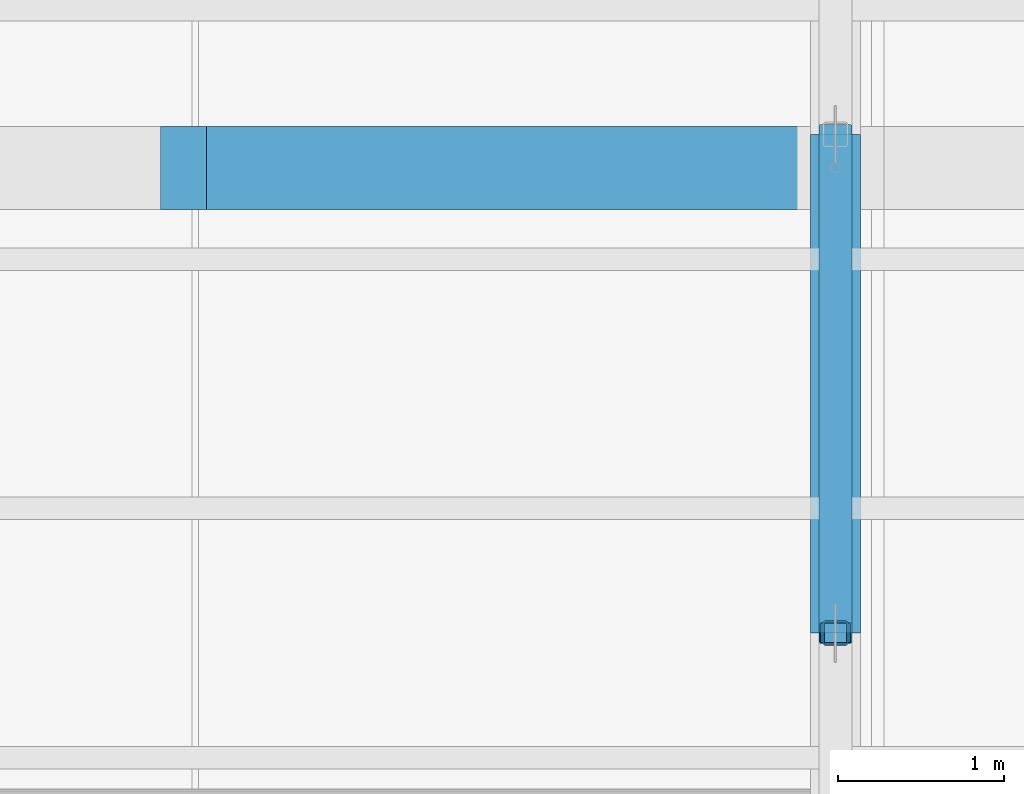
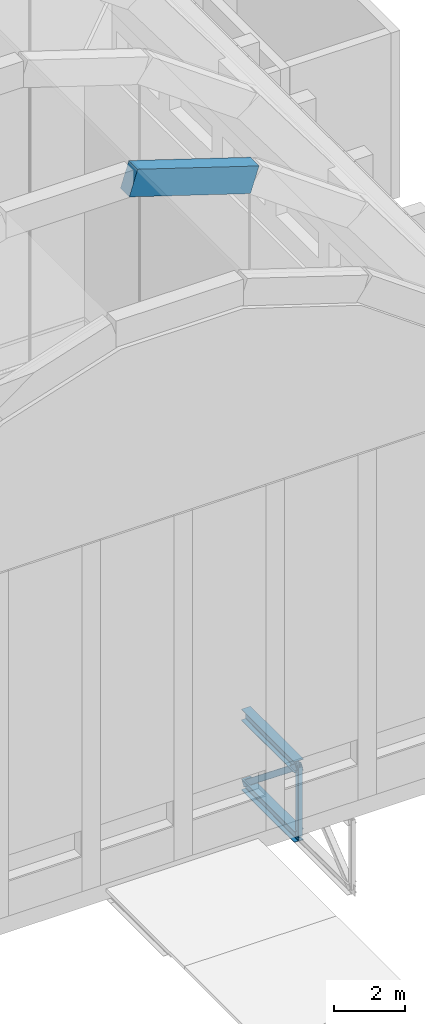
# One storey, part 11 of 55: 4 members, 1 beam.
"""IFC4 building model written with IfcOpenShell, lengths in metres."""

from ifc_helpers import new_model, si_unit, direction, frame, origin, origin_2d, place, context, subcontext, project, spatial, rectangle, hollow_rectangle, i_section, extrude, material, material_profile, profile_set, type_object, element, save


model = new_model("IFC4")

# Units and contexts
model_context = context("Model", 3, precision=1e-05, world=origin(), true_north=direction((0.0, 1.0)))
body_context = subcontext(model_context, "Body", "Model", "MODEL_VIEW")
ifc_project = project(units=[si_unit("LENGTHUNIT", "METRE"), si_unit("AREAUNIT", "SQUARE_METRE"), si_unit("VOLUMEUNIT", "CUBIC_METRE"), si_unit("PLANEANGLEUNIT", "RADIAN"), si_unit("MASSUNIT", "GRAM", prefix="KILO")], contexts=[model_context])

# Site, building, storey
site_placement = place(None, origin())
site = spatial("IfcSite", under=ifc_project, at=site_placement, CompositionType="ELEMENT")
building_placement = place(site_placement, origin())
building = spatial("IfcBuilding", under=site, at=building_placement, Name="Lunette Opera House", CompositionType="ELEMENT")
storey_placement = place(building_placement, frame((0.0, 0.0, 34.0)))
storey = spatial("IfcBuildingStorey", under=building, at=storey_placement, Name="L06", CompositionType="ELEMENT", Elevation=34.0)

# Beam
ifc_material_1 = material(Name="Concrete C40/50", Category="concrete")
ifc_material_profile_1 = material_profile(ifc_material_1, rectangle(XDim=0.5, YDim=0.89990234375, at=origin_2d()), Name="ARCH BEAM 500X900")
ifc_profile_set_1 = profile_set([ifc_material_profile_1], Name="Concrete C40/50")
beam_type = type_object("IfcBeamType", Name="ARCH BEAM 500X900", PredefinedType="BEAM", material=ifc_profile_set_1)
beam_placement = place(storey_placement, frame((98.075927734375, 101.800048828125, 19.251953125), z_axis=(0.952116578893, 0.0, -0.305735212556), x_axis=(0.0, 1.0, 0.0)))
element("IfcBeam", 1, at=beam_placement, inside=storey, type_object=beam_type, Name="beam-ST-L06-EAT2-5", PredefinedType="BEAM", context=body_context, shape_type="SweptSolid", body=[
    extrude(rectangle(XDim=0.5, YDim=0.89990234375, at=origin_2d()), origin(), (0.0, 0.0, 1.0), 4.154052734375),
])

# Members
ifc_material_2 = material(Name="Steel S355", Category="steel")
ifc_material_profile_2 = material_profile(ifc_material_2, i_section(OverallWidth=0.300048828125, OverallDepth=0.389892578125, WebThickness=0.010986328125, FlangeThickness=0.01904296875, FilletRadius=0.027099609375, at=origin_2d()), Name="HEA 400")
ifc_profile_set_2 = profile_set([ifc_material_profile_2], Name="Steel S355")
member_type_1 = type_object("IfcMemberType", Name="CHORD HEA 400", PredefinedType="CHORD", material=ifc_profile_set_2)
for number, where, z_axis, x_axis, name in (
    (2, (102.0, 99.0, -0.6650390625), (0.0, 1.0, 0.0), (-1.0, 0.0, 0.0), "mem-ST-L06-ST-TR03-TC2"),
    (3, (102.0, 99.0, -3.06494140625), (0.0, 1.0, 0.0), (-1.0, 0.0, 0.0), "mem-ST-L06-ST-TR03-BC2"),
):
    element("IfcMember", number, at=place(storey_placement, frame(where, z_axis=z_axis, x_axis=x_axis)), inside=storey, type_object=member_type_1, Name=name, PredefinedType="CHORD", context=body_context, shape_type="SweptSolid", body=[
        extrude(i_section(OverallWidth=0.300048828125, OverallDepth=0.389892578125, WebThickness=0.010986328125, FlangeThickness=0.01904296875, FilletRadius=0.027099609375, at=origin_2d()), origin(), (0.0, 0.0, 1.0), 3.0),
    ])
ifc_material_3 = material(Name="Steel S355", Category="steel")
ifc_material_profile_3 = material_profile(ifc_material_3, hollow_rectangle(XDim=0.199951171875, YDim=0.199951171875, WallThickness=0.008056640625, InnerFilletRadius=0.008056640625, OuterFilletRadius=0.01611328125, at=origin_2d()), Name="RHS 200X200X8")
ifc_profile_set_3 = profile_set([ifc_material_profile_3], Name="Steel S355")
member_type_2 = type_object("IfcMemberType", Name="DIAGONAL RHS 200X200X8", PredefinedType="BRACE", material=ifc_profile_set_3)
member_1_placement = place(storey_placement, frame((102.0, 99.0, -0.6650390625), z_axis=(0.0, 0.780881208953, -0.624679547852), x_axis=(-1.0, 0.0, 0.0)))
element("IfcMember", 4, at=member_1_placement, inside=storey, type_object=member_type_2, Name="mem-ST-L06-ST-TR03-TD2", PredefinedType="BRACE", context=body_context, shape_type="SweptSolid", body=[
    extrude(hollow_rectangle(XDim=0.199951171875, YDim=0.199951171875, WallThickness=0.008056640625, InnerFilletRadius=0.008056640625, OuterFilletRadius=0.01611328125, at=origin_2d()), origin(), (0.0, 0.0, 1.0), 3.841796875),
])
ifc_material_4 = material(Name="Steel S355", Category="steel")
ifc_material_profile_4 = material_profile(ifc_material_4, hollow_rectangle(XDim=0.14990234375, YDim=0.14990234375, WallThickness=0.008056640625, InnerFilletRadius=0.008056640625, OuterFilletRadius=0.01611328125, at=origin_2d()), Name="RHS 150X150X8")
ifc_profile_set_4 = profile_set([ifc_material_profile_4], Name="Steel S355")
member_type_3 = type_object("IfcMemberType", Name="VERTICAL RHS 150X150X8", PredefinedType="POST", material=ifc_profile_set_4)
member_2_placement = place(storey_placement, frame((102.0, 99.0, -3.06494140625), z_axis=(0.0, 0.0, 1.0), x_axis=(1.0, 0.0, 0.0)))
element("IfcMember", 5, at=member_2_placement, inside=storey, type_object=member_type_3, Name="mem-ST-L06-ST-TR03-TV2", PredefinedType="POST", context=body_context, shape_type="SweptSolid", body=[
    extrude(hollow_rectangle(XDim=0.14990234375, YDim=0.14990234375, WallThickness=0.008056640625, InnerFilletRadius=0.008056640625, OuterFilletRadius=0.01611328125, at=origin_2d()), origin(), (0.0, 0.0, 1.0), 2.39990234375),
])

save(model, "model.ifc")
